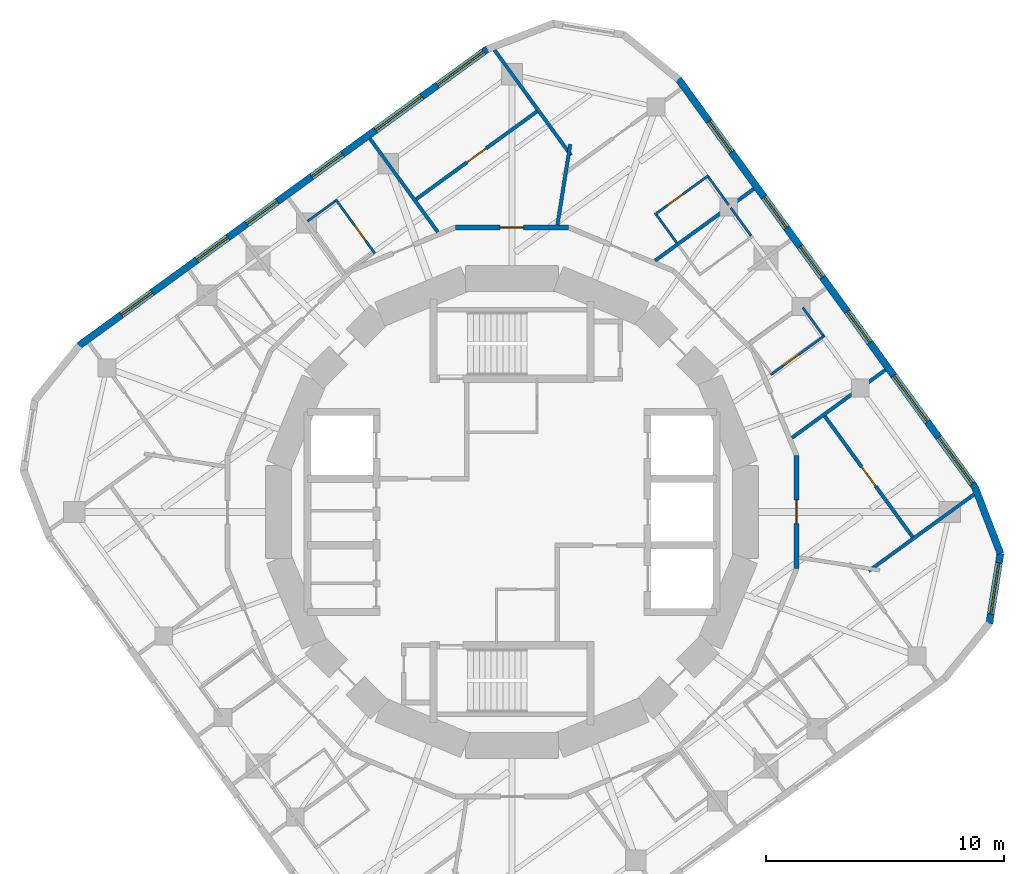
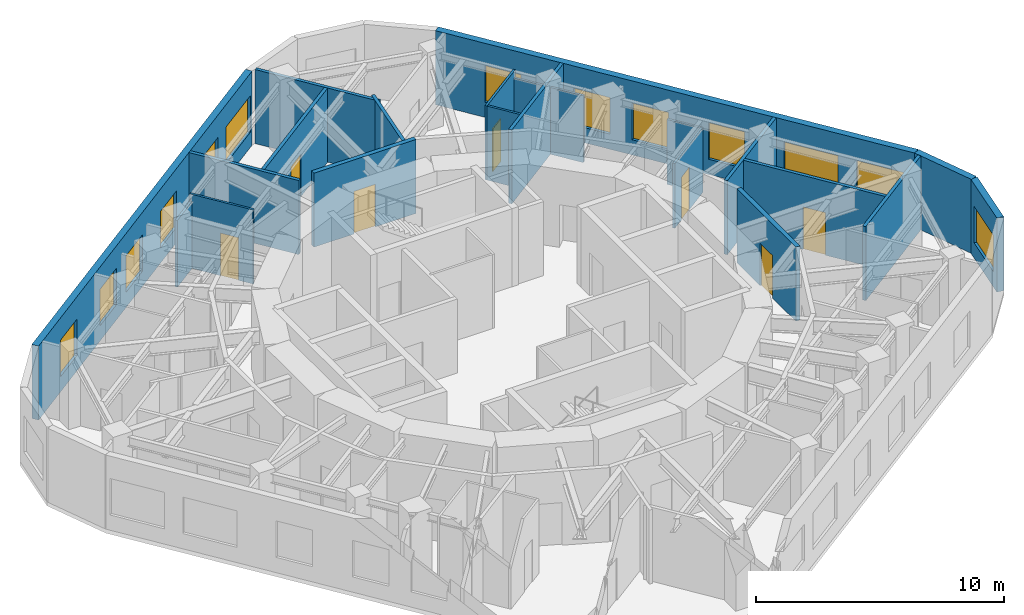
# One storey, part 7 of 9: 22 walls, 13 windows, 7 doors, 20 openings.
"""IFC4 building model written with IfcOpenShell, lengths in metres."""

import ifcopenshell
import ifcopenshell.guid

model = None  # the IFC model being written
_history = None  # IfcOwnerHistory: only IFC2X3 demands one
_inside = {}  # id of a spatial element -> (the spatial element, [elements in it])
_under = {}  # id of a project, library or spatial element -> (it, [spatial elements below it])
_declared = {}  # id of a project -> (the project, [libraries it declares])
_typed = {}  # id of a type object -> (the type object, [elements of that type])
_made_of = {}  # id of a material, layer set ... -> (it, [elements and type objects made of it])


def new_model(schema):
    """Start an empty IFC model of exactly this schema.

    Asked for "IFC4X3", IfcOpenShell would pick the latest addendum, in which some entities
    have other attributes; the version numbers below select the first issue.
    IFC2X3 requires an IfcOwnerHistory on every rooted entity: one is made here for all.
    """
    global model, _history
    if schema == "IFC4X3":
        model = ifcopenshell.file(schema_version=(4, 3, 0, 0))
    else:
        model = ifcopenshell.file(schema=schema)
    _inside.clear()
    _under.clear()
    _declared.clear()
    _typed.clear()
    _made_of.clear()
    _history = None
    if model.schema == "IFC2X3":
        org = make("IfcOrganization", Name="unknown")
        user = make(
            "IfcPersonAndOrganization",
            ThePerson=make("IfcPerson", FamilyName="unknown"),
            TheOrganization=org,
        )
        app = make(
            "IfcApplication",
            ApplicationDeveloper=org,
            Version="unknown",
            ApplicationFullName="unknown",
            ApplicationIdentifier="unknown",
        )
        _history = make(
            "IfcOwnerHistory",
            OwningUser=user,
            OwningApplication=app,
            ChangeAction="ADDED",
            CreationDate=0,
        )
    return model


def make(cls, **values):
    """One entity of the class cls with the attributes given. An attribute that is None is left unset."""
    return model.create_entity(
        cls, **{name: value for name, value in values.items() if value is not None}
    )


def rooted(cls, **values):
    """An entity with a GlobalId (a new one), such as an element, a storey or a relation."""
    return make(cls, GlobalId=ifcopenshell.guid.new(), OwnerHistory=_history, **values)


def si_unit(unit_type, name, prefix=None):
    """IfcSIUnit, for example si_unit("LENGTHUNIT", "METRE", prefix="MILLI")."""
    return make("IfcSIUnit", UnitType=unit_type, Prefix=prefix, Name=name)


def assignment(units):
    """IfcUnitAssignment: the units of a project."""
    return None if units is None else make("IfcUnitAssignment", Units=units)


def point(xyz):
    """IfcCartesianPoint."""
    return None if xyz is None else make("IfcCartesianPoint", Coordinates=xyz)


def direction(xyz):
    """IfcDirection."""
    return None if xyz is None else make("IfcDirection", DirectionRatios=xyz)


def frame(location, z_axis=None, x_axis=None):
    """IfcAxis2Placement3D, a coordinate frame: its origin and axes. An axis left out is left unset."""
    return make(
        "IfcAxis2Placement3D",
        Location=point(location),
        Axis=direction(z_axis),
        RefDirection=direction(x_axis),
    )


def frame_2d(location, x_axis=None):
    """IfcAxis2Placement2D, a coordinate frame in the plane: its origin and x axis."""
    return make(
        "IfcAxis2Placement2D", Location=point(location), RefDirection=direction(x_axis)
    )


def origin():
    """The frame at (0, 0, 0) with its axes left unset."""
    return frame((0.0, 0.0, 0.0))


def place(relative_to, where):
    """IfcLocalPlacement: puts the frame where relative to a parent placement (None: the world)."""
    return make(
        "IfcLocalPlacement", PlacementRelTo=relative_to, RelativePlacement=where
    )


def context(
    kind, dimensions, precision=None, world=None, true_north=None, identifier=None
):
    """IfcGeometricRepresentationContext, for example the 3D "Model" context."""
    return make(
        "IfcGeometricRepresentationContext",
        ContextIdentifier=identifier,
        ContextType=kind,
        CoordinateSpaceDimension=dimensions,
        Precision=precision,
        WorldCoordinateSystem=world,
        TrueNorth=true_north,
    )


def subcontext(parent, identifier, kind, view, scale=None):
    """IfcGeometricRepresentationSubContext, for example "Body" below "Model"."""
    return make(
        "IfcGeometricRepresentationSubContext",
        ContextIdentifier=identifier,
        ContextType=kind,
        ParentContext=parent,
        TargetScale=scale,
        TargetView=view,
    )


def project(units=None, contexts=None):
    """IfcProject with its units and contexts."""
    return rooted(
        "IfcProject",
        Name="project",
        RepresentationContexts=contexts,
        UnitsInContext=assignment(units),
    )


def spatial(cls, under=None, at=None, **own):
    """A site, building, storey or space (cls), placed at a placement, below another one or the project."""
    s = rooted(cls, ObjectPlacement=at, **own)
    if under is not None:
        _under.setdefault(under.id(), (under, []))[1].append(s)
    return s


def profile(cls, at=None, kind="AREA", **sizes):
    """A parametric profile (cls). Its sizes go by their IFC names, for example OverallWidth=200.0."""
    return make(cls, ProfileType=kind, Position=at, **sizes)


def rectangle(**sizes):
    """IfcRectangleProfileDef."""
    return profile("IfcRectangleProfileDef", **sizes)


def extrude(swept, where, along, depth):
    """IfcExtrudedAreaSolid: the profile swept, set in the frame where, extruded along a direction by depth."""
    return make(
        "IfcExtrudedAreaSolid",
        SweptArea=swept,
        Position=where,
        ExtrudedDirection=direction(along),
        Depth=depth,
    )


def shape(context_of_items, identifier, shape_type, items):
    """IfcShapeRepresentation: the items that make up one representation, for example the "Body"."""
    return make(
        "IfcShapeRepresentation",
        ContextOfItems=context_of_items,
        RepresentationIdentifier=identifier,
        RepresentationType=shape_type,
        Items=items,
    )


def material(Name=None, Category=None):
    """IfcMaterial."""
    return make("IfcMaterial", Name=Name, Category=Category)


def layer(
    of_material, thickness, ventilated=None, Name=None, Category=None, Priority=None
):
    """IfcMaterialLayer: one layer of a wall or slab, of a material (None: an air gap)."""
    return make(
        "IfcMaterialLayer",
        Material=of_material,
        LayerThickness=thickness,
        IsVentilated=ventilated,
        Name=Name,
        Category=Category,
        Priority=Priority,
    )


def layer_set(layers, Name=None):
    """IfcMaterialLayerSet."""
    return make("IfcMaterialLayerSet", MaterialLayers=layers, LayerSetName=Name)


def made_of(thing, what):
    """Note that an element or type object is made of a material, layer set ...; save() writes the relation."""
    if what is not None:
        _made_of.setdefault(what.id(), (what, []))[1].append(thing)
    return thing


def type_object(cls, material=None, **own):
    """A type object (cls), such as IfcWallType, which elements share."""
    return made_of(rooted(cls, **own), material)


def element(
    cls,
    number,
    at=None,
    inside=None,
    cuts=None,
    type_object=None,
    material=None,
    context=None,
    identifier="Body",
    shape_type=None,
    held_by="IfcProductDefinitionShape",
    body=None,
    shapes=None,
    **own,
):
    """One element of the class cls, such as IfcWall. Its Tag is "e" and its number.

    at: its placement. inside: the storey or other place that contains it. cuts: it is an
    opening in that element (IfcRelVoidsElement). A single representation is given by context,
    identifier, shape_type and body (its items); several are given by shapes. held_by: the class
    of the entity that holds the representations. save() writes the other relations.
    """
    e = rooted(cls, Tag="e%d" % number, ObjectPlacement=at, **own)
    if body is not None:
        shapes = [shape(context, identifier, shape_type, body)]
    if shapes is not None:
        e.Representation = make(held_by, Representations=shapes)
    if inside is not None:
        _inside.setdefault(inside.id(), (inside, []))[1].append(e)
    if cuts is not None:
        rooted(
            "IfcRelVoidsElement", RelatingBuildingElement=cuts, RelatedOpeningElement=e
        )
    if type_object is not None:
        _typed.setdefault(type_object.id(), (type_object, []))[1].append(e)
    return made_of(e, material)


def fill(opening, filler):
    """IfcRelFillsElement: the door or window that sits in an opening."""
    return rooted(
        "IfcRelFillsElement",
        RelatingOpeningElement=opening,
        RelatedBuildingElement=filler,
    )


def aggregate(whole, parts):
    """IfcRelAggregates: a whole, such as a stair, and the parts it consists of."""
    return rooted("IfcRelAggregates", RelatingObject=whole, RelatedObjects=parts)


def save(model, path):
    """Write the relations noted so far, then the file.

    IfcRelAggregates (storeys below a building ...), IfcRelContainedInSpatialStructure (elements
    in a storey), IfcRelDefinesByType, IfcRelAssociatesMaterial and IfcRelDeclares: one each for
    every whole, place, type object, material and project.
    """
    for whole, parts in _under.values():
        aggregate(whole, parts)
    for where, things in _inside.values():
        rooted(
            "IfcRelContainedInSpatialStructure",
            RelatedElements=things,
            RelatingStructure=where,
        )
    for kind, things in _typed.values():
        rooted("IfcRelDefinesByType", RelatedObjects=things, RelatingType=kind)
    for what, things in _made_of.values():
        rooted("IfcRelAssociatesMaterial", RelatedObjects=things, RelatingMaterial=what)
    for by, libraries in _declared.values():
        rooted("IfcRelDeclares", RelatingContext=by, RelatedDefinitions=libraries)
    model.write(path)


model = new_model("IFC4")

# Units and contexts
model_context = context("Model", 3, precision=1e-05, world=origin(), true_north=direction((0.0, 1.0)))
body_context = subcontext(model_context, "Body", "Model", "MODEL_VIEW")
ifc_project = project(units=[si_unit("LENGTHUNIT", "METRE"), si_unit("AREAUNIT", "SQUARE_METRE"), si_unit("VOLUMEUNIT", "CUBIC_METRE"), si_unit("PLANEANGLEUNIT", "RADIAN"), si_unit("MASSUNIT", "GRAM", prefix="KILO")], contexts=[model_context])

# Site, building, storey
site_placement = place(None, origin())
site = spatial("IfcSite", under=ifc_project, at=site_placement, CompositionType="ELEMENT")
building_placement = place(site_placement, origin())
building = spatial("IfcBuilding", under=site, at=building_placement, Name="Nakasero Lantern House", CompositionType="ELEMENT")
storey_placement = place(building_placement, frame((0.0, 0.0, 286.85009765625)))
storey = spatial("IfcBuildingStorey", under=building, at=storey_placement, Name="L70", CompositionType="ELEMENT", Elevation=286.85009765625)

# Wall, opening, door
ifc_material_1 = material(Name="Blockwork", Category="masonry")
ifc_layer_1 = layer(ifc_material_1, 0.199951171875)
ifc_layer_set_1 = layer_set([ifc_layer_1], Name="Corridor wall 200")
wall_type_1 = type_object("IfcWallType", Name="Corridor wall 200", PredefinedType="PARTITIONING", material=ifc_layer_set_1)
wall_1_placement = place(storey_placement, frame((11.957763671875, 2.378662109375, 0.0), z_axis=(0.0, 0.0, 1.0), x_axis=(0.0, -1.0, 0.0)))
wall_1 = element("IfcWall", 1, at=wall_1_placement, inside=storey, type_object=wall_type_1, Name="Corridor wall L70 RC00a", PredefinedType="PARTITIONING", context=body_context, shape_type="SweptSolid", body=[
    extrude(rectangle(XDim=4.75732421875, YDim=0.199951171875, at=frame_2d((2.378662109375, 0.0))), origin(), (0.0, 0.0, 1.0), 3.64990234375),
])
opening_1_placement = place(wall_1_placement, frame((1.8701171875, 0.0, 0.0)))
opening_1 = element("IfcOpeningElement", 2, at=opening_1_placement, cuts=wall_1, Name="Opening D03", PredefinedType="OPENING", context=body_context, shape_type="SweptSolid", body=[
    extrude(rectangle(XDim=1.0, YDim=2.10009765625, at=frame_2d((0.5, 1.050048828125))), frame((0.0, 0.119873046875, 0.0), z_axis=(0.0, -1.0, 0.0), x_axis=(1.0, 0.0, 0.0)), (0.0, 0.0, 1.0), 0.239990234375),
])
ifc_material_2 = material(Name="Timber C24", Category="wood")
door_type_1 = type_object("IfcDoorType", Name="Lounge door FD30S 1000", OperationType="SINGLE_SWING_LEFT", PredefinedType="DOOR", material=ifc_material_2)
door_1_placement = place(opening_1_placement, origin())
door_1 = element("IfcDoor", 3, at=door_1_placement, inside=storey, type_object=door_type_1, Name="Door L70 DK0", OperationType="SINGLE_SWING_LEFT", OverallHeight=2.10009765625, OverallWidth=1.0, PredefinedType="DOOR", context=body_context, shape_type="SweptSolid", body=[
    extrude(rectangle(XDim=1.0, YDim=2.10009765625, at=frame_2d((0.5, 1.050048828125))), frame((0.0, 0.02490234375, 0.0), z_axis=(0.0, -1.0, 0.0), x_axis=(1.0, 0.0, 0.0)), (0.0, 0.0, 1.0), 0.050048828125),
])
fill(opening_1, door_1)

wall_2_placement = place(storey_placement, frame((-2.378662109375, 11.957763671875, 0.0), z_axis=(0.0, 0.0, 1.0), x_axis=(1.0, 0.0, 0.0)))
wall_2 = element("IfcWall", 4, at=wall_2_placement, inside=storey, type_object=wall_type_1, Name="Corridor wall L70 RC12a", PredefinedType="PARTITIONING", context=body_context, shape_type="SweptSolid", body=[
    extrude(rectangle(XDim=4.75732421875, YDim=0.199951171875, at=frame_2d((2.378662109375, 0.0))), origin(), (0.0, 0.0, 1.0), 3.64990234375),
])
opening_2_placement = place(wall_2_placement, frame((1.8701171875, 0.0, 0.0)))
opening_2 = element("IfcOpeningElement", 5, at=opening_2_placement, cuts=wall_2, Name="Opening D03", PredefinedType="OPENING", context=body_context, shape_type="SweptSolid", body=[
    extrude(rectangle(XDim=1.0, YDim=2.10009765625, at=frame_2d((0.5, 1.050048828125))), frame((0.0, 0.119873046875, 0.0), z_axis=(0.0, -1.0, 0.0), x_axis=(1.0, 0.0, 0.0)), (0.0, 0.0, 1.0), 0.239990234375),
])
door_2_placement = place(opening_2_placement, origin())
door_2 = element("IfcDoor", 6, at=door_2_placement, inside=storey, type_object=door_type_1, Name="Door L70 DK1", OperationType="SINGLE_SWING_LEFT", OverallHeight=2.10009765625, OverallWidth=1.0, PredefinedType="DOOR", context=body_context, shape_type="SweptSolid", body=[
    extrude(rectangle(XDim=1.0, YDim=2.10009765625, at=frame_2d((0.5, 1.050048828125))), frame((0.0, 0.02490234375, 0.0), z_axis=(0.0, -1.0, 0.0), x_axis=(1.0, 0.0, 0.0)), (0.0, 0.0, 1.0), 0.050048828125),
])
fill(opening_2, door_2)

ifc_material_3 = material(Name="Blockwork", Category="masonry")
ifc_layer_2 = layer(ifc_material_3, 0.10009765625)
ifc_layer_set_2 = layer_set([ifc_layer_2], Name="En-suite wall 100")
wall_type_2 = type_object("IfcWallType", Name="En-suite wall 100", PredefinedType="PARTITIONING", material=ifc_layer_set_2)
wall_3_placement = place(storey_placement, frame((10.872314453125, 5.76513671875, 0.0), z_axis=(0.0, 0.0, 1.0), x_axis=(0.809041377956, 0.587751689708, 0.0)))
wall_3 = element("IfcWall", 7, at=wall_3_placement, inside=storey, type_object=wall_type_2, Name="En-suite wall L70 ES0-03", PredefinedType="PARTITIONING", context=body_context, shape_type="SweptSolid", body=[
    extrude(rectangle(XDim=2.800048828125, YDim=0.10009765625, at=frame_2d((1.39990234375, 0.0))), origin(), (0.0, 0.0, 1.0), 3.18994140625),
])
opening_3_placement = place(wall_3_placement, frame((0.64990234375, 0.0, 0.0)))
opening_3 = element("IfcOpeningElement", 8, at=opening_3_placement, cuts=wall_3, Name="Opening D02", PredefinedType="OPENING", context=body_context, shape_type="SweptSolid", body=[
    extrude(rectangle(XDim=0.800048828125, YDim=2.10009765625, at=frame_2d((0.39990234375, 1.050048828125))), frame((0.0, 0.070068359375, 0.0), z_axis=(0.0, -1.0, 0.0), x_axis=(1.0, 0.0, 0.0)), (0.0, 0.0, 1.0), 0.14013671875),
])
ifc_material_4 = material(Name="Timber C24", Category="wood")
door_type_2 = type_object("IfcDoorType", Name="En-suite door 800", OperationType="SINGLE_SWING_RIGHT", PredefinedType="DOOR", material=ifc_material_4)
door_3_placement = place(opening_3_placement, origin())
door_3 = element("IfcDoor", 9, at=door_3_placement, inside=storey, type_object=door_type_2, Name="Door L70 DE0-03", OperationType="SINGLE_SWING_LEFT", OverallHeight=2.10009765625, OverallWidth=0.800048828125, PredefinedType="DOOR", context=body_context, shape_type="SweptSolid", body=[
    extrude(rectangle(XDim=0.800048828125, YDim=2.10009765625, at=frame_2d((0.39990234375, 1.050048828125))), frame((0.0, 0.02490234375, 0.0), z_axis=(0.0, -1.0, 0.0), x_axis=(1.0, 0.0, 0.0)), (0.0, 0.0, 1.0), 0.050048828125),
])
fill(opening_3, door_3)

# Walls
wall_4_placement = place(storey_placement, frame((13.06787109375, 7.421875, 0.0), z_axis=(0.0, 0.0, 1.0), x_axis=(-0.587781191743, 0.809019944521, 0.0)))
element("IfcWall", 10, at=wall_4_placement, inside=storey, type_object=wall_type_2, Name="En-suite wall L70 EE0-03", PredefinedType="PARTITIONING", context=body_context, shape_type="SweptSolid", body=[
    extrude(rectangle(XDim=1.449951171875, YDim=0.10009765625, at=frame_2d((0.72509765625, 0.0))), origin(), (0.0, 0.0, 1.0), 3.196533203125),
])
wall_5_placement = place(storey_placement, frame((10.046630859375, 11.6064453125, 0.0), z_axis=(0.0, 0.0, 1.0), x_axis=(-0.587781191743, 0.809019944521, 0.0)))
element("IfcWall", 11, at=wall_5_placement, inside=storey, type_object=wall_type_2, Name="En-suite wall L70 EE0-04", PredefinedType="PARTITIONING", context=body_context, shape_type="SweptSolid", body=[
    extrude(rectangle(XDim=1.449951171875, YDim=0.10009765625, at=frame_2d((0.72509765625, 0.0))), origin(), (0.0, 0.0, 1.0), 3.294921875),
])

# Wall, opening, door
wall_6_placement = place(storey_placement, frame((5.999755859375, 12.498046875, 0.0), z_axis=(0.0, 0.0, 1.0), x_axis=(0.809011254605, 0.587793152327, 0.0)))
wall_6 = element("IfcWall", 12, at=wall_6_placement, inside=storey, type_object=wall_type_2, Name="En-suite wall L70 ES0-06", PredefinedType="PARTITIONING", context=body_context, shape_type="SweptSolid", body=[
    extrude(rectangle(XDim=2.7998046875, YDim=0.10009765625, at=frame_2d((1.39990234375, 0.0))), origin(), (0.0, 0.0, 1.0), 3.64990234375),
])
opening_4_placement = place(wall_6_placement, frame((0.64990234375, 0.0, 0.0)))
opening_4 = element("IfcOpeningElement", 13, at=opening_4_placement, cuts=wall_6, Name="Opening D02", PredefinedType="OPENING", context=body_context, shape_type="SweptSolid", body=[
    extrude(rectangle(XDim=0.800048828125, YDim=2.10009765625, at=frame_2d((0.39990234375, 1.050048828125))), frame((0.0, 0.070068359375, 0.0), z_axis=(0.0, -1.0, 0.0), x_axis=(1.0, 0.0, 0.0)), (0.0, 0.0, 1.0), 0.14013671875),
])
door_4_placement = place(opening_4_placement, origin())
door_4 = element("IfcDoor", 14, at=door_4_placement, inside=storey, type_object=door_type_2, Name="Door L70 DE0-06", OperationType="SINGLE_SWING_LEFT", OverallHeight=2.10009765625, OverallWidth=0.800048828125, PredefinedType="DOOR", context=body_context, shape_type="SweptSolid", body=[
    extrude(rectangle(XDim=0.800048828125, YDim=2.10009765625, at=frame_2d((0.39990234375, 1.050048828125))), frame((0.0, 0.02490234375, 0.0), z_axis=(0.0, -1.0, 0.0), x_axis=(1.0, 0.0, 0.0)), (0.0, 0.0, 1.0), 0.050048828125),
])
fill(opening_4, door_4)

# Walls
wall_7_placement = place(storey_placement, frame((9.106201171875, 12.90087890625, 0.0), z_axis=(0.0, 0.0, 1.0), x_axis=(-0.587781191743, 0.809019944521, 0.0)))
element("IfcWall", 15, at=wall_7_placement, inside=storey, type_object=wall_type_2, Name="En-suite wall L70 EE0-06", PredefinedType="PARTITIONING", context=body_context, shape_type="SweptSolid", body=[
    extrude(rectangle(XDim=1.449951171875, YDim=0.10009765625, at=frame_2d((0.72509765625, 0.0))), origin(), (0.0, 0.0, 1.0), 3.294921875),
])
wall_8_placement = place(storey_placement, frame((6.921875, 11.313720703125, 0.0), z_axis=(0.0, 0.0, 1.0), x_axis=(-0.587781191743, 0.809019944521, 0.0)))
element("IfcWall", 16, at=wall_8_placement, inside=storey, type_object=wall_type_2, Name="En-suite wall L70 EI0-06", PredefinedType="PARTITIONING", context=body_context, shape_type="SweptSolid", body=[
    extrude(rectangle(XDim=1.449951171875, YDim=0.10009765625, at=frame_2d((0.72509765625, 0.0))), origin(), (0.0, 0.0, 1.0), 3.64990234375),
])

# Wall, opening, door
wall_9_placement = place(storey_placement, frame((-5.76513671875, 10.872314453125, 0.0), z_axis=(0.0, 0.0, 1.0), x_axis=(-0.587751689708, 0.809041377956, 0.0)))
wall_9 = element("IfcWall", 17, at=wall_9_placement, inside=storey, type_object=wall_type_2, Name="En-suite wall L70 ES1-03", PredefinedType="PARTITIONING", context=body_context, shape_type="SweptSolid", body=[
    extrude(rectangle(XDim=2.800048828125, YDim=0.10009765625, at=frame_2d((1.39990234375, 0.0))), origin(), (0.0, 0.0, 1.0), 3.64990234375),
])
opening_5_placement = place(wall_9_placement, frame((0.64990234375, 0.0, 0.0)))
opening_5 = element("IfcOpeningElement", 18, at=opening_5_placement, cuts=wall_9, Name="Opening D02", PredefinedType="OPENING", context=body_context, shape_type="SweptSolid", body=[
    extrude(rectangle(XDim=0.800048828125, YDim=2.10009765625, at=frame_2d((0.39990234375, 1.050048828125))), frame((0.0, 0.070068359375, 0.0), z_axis=(0.0, -1.0, 0.0), x_axis=(1.0, 0.0, 0.0)), (0.0, 0.0, 1.0), 0.14013671875),
])
door_5_placement = place(opening_5_placement, origin())
door_5 = element("IfcDoor", 19, at=door_5_placement, inside=storey, type_object=door_type_2, Name="Door L70 DE1-03", OperationType="SINGLE_SWING_LEFT", OverallHeight=2.10009765625, OverallWidth=0.800048828125, PredefinedType="DOOR", context=body_context, shape_type="SweptSolid", body=[
    extrude(rectangle(XDim=0.800048828125, YDim=2.10009765625, at=frame_2d((0.39990234375, 1.050048828125))), frame((0.0, 0.02490234375, 0.0), z_axis=(0.0, -1.0, 0.0), x_axis=(1.0, 0.0, 0.0)), (0.0, 0.0, 1.0), 0.050048828125),
])
fill(opening_5, door_5)

# Wall
wall_10_placement = place(storey_placement, frame((-7.421875, 13.06787109375, 0.0), z_axis=(0.0, 0.0, 1.0), x_axis=(-0.809019944521, -0.587781191743, 0.0)))
element("IfcWall", 20, at=wall_10_placement, inside=storey, type_object=wall_type_2, Name="En-suite wall L70 EE1-03", PredefinedType="PARTITIONING", context=body_context, shape_type="SweptSolid", body=[
    extrude(rectangle(XDim=1.449951171875, YDim=0.10009765625, at=frame_2d((0.72509765625, 0.0))), origin(), (0.0, 0.0, 1.0), 3.294921875),
])

# Wall, openings, windows
ifc_material_5 = material(Name="Aluminium rainscreen on blockwork", Category="masonry")
ifc_layer_3 = layer(ifc_material_5, 0.300048828125)
ifc_layer_set_3 = layer_set([ifc_layer_3], Name="Facade wall 300")
wall_type_3 = type_object("IfcWallType", Name="Facade wall 300", PredefinedType="SOLIDWALL", material=ifc_layer_set_3)
wall_11_placement = place(storey_placement, frame((19.4580078125, 1.03466796875, 0.0), z_axis=(0.0, 0.0, 1.0), x_axis=(-0.587790233451, 0.809013375328, 0.0)))
wall_11 = element("IfcWall", 21, at=wall_11_placement, inside=storey, type_object=wall_type_3, Name="Facade wall L70 FW0S", PredefinedType="SOLIDWALL", context=body_context, shape_type="SweptSolid", body=[
    extrude(rectangle(XDim=21.199951171875, YDim=0.300048828125, at=frame_2d((10.60009765625, 0.0))), origin(), (0.0, 0.0, 1.0), 3.64990234375),
])
opening_6_placement = place(wall_11_placement, frame((7.52783203125, 0.0, 0.75)))
opening_6 = element("IfcOpeningElement", 22, at=opening_6_placement, cuts=wall_11, Name="Opening W01", PredefinedType="OPENING", context=body_context, shape_type="SweptSolid", body=[
    extrude(rectangle(XDim=1.60009765625, YDim=1.800048828125, at=frame_2d((0.800048828125, 0.89990234375))), frame((0.0, 0.169921875, 0.0), z_axis=(0.0, -1.0, 0.0), x_axis=(1.0, 0.0, 0.0)), (0.0, 0.0, 1.0), 0.340087890625),
])
opening_7_placement = place(wall_11_placement, frame((10.904052734375, 0.0, 0.75)))
opening_7 = element("IfcOpeningElement", 23, at=opening_7_placement, cuts=wall_11, Name="Opening W01", PredefinedType="OPENING", context=body_context, shape_type="SweptSolid", body=[
    extrude(rectangle(XDim=1.60009765625, YDim=1.800048828125, at=frame_2d((0.800048828125, 0.89990234375))), frame((0.0, 0.169921875, 0.0), z_axis=(0.0, -1.0, 0.0), x_axis=(1.0, 0.0, 0.0)), (0.0, 0.0, 1.0), 0.340087890625),
])
opening_8_placement = place(wall_11_placement, frame((13.484619140625, 0.0, 0.75)))
opening_8 = element("IfcOpeningElement", 24, at=opening_8_placement, cuts=wall_11, Name="Opening W01", PredefinedType="OPENING", context=body_context, shape_type="SweptSolid", body=[
    extrude(rectangle(XDim=1.60009765625, YDim=1.800048828125, at=frame_2d((0.800048828125, 0.89990234375))), frame((0.0, 0.169921875, 0.0), z_axis=(0.0, -1.0, 0.0), x_axis=(1.0, 0.0, 0.0)), (0.0, 0.0, 1.0), 0.340087890625),
])
opening_9_placement = place(wall_11_placement, frame((17.410888671875, 0.0, 0.75)))
opening_9 = element("IfcOpeningElement", 25, at=opening_9_placement, cuts=wall_11, Name="Opening W01", PredefinedType="OPENING", context=body_context, shape_type="SweptSolid", body=[
    extrude(rectangle(XDim=1.60009765625, YDim=1.800048828125, at=frame_2d((0.800048828125, 0.89990234375))), frame((0.0, 0.169921875, 0.0), z_axis=(0.0, -1.0, 0.0), x_axis=(1.0, 0.0, 0.0)), (0.0, 0.0, 1.0), 0.340087890625),
])
opening_10_placement = place(wall_11_placement, frame((0.1904296875, 0.0, 0.75)))
opening_10 = element("IfcOpeningElement", 26, at=opening_10_placement, cuts=wall_11, Name="Opening W03", PredefinedType="OPENING", context=body_context, shape_type="SweptSolid", body=[
    extrude(rectangle(XDim=2.39990234375, YDim=1.800048828125, at=frame_2d((1.199951171875, 0.89990234375))), frame((0.0, 0.169921875, 0.0), z_axis=(0.0, -1.0, 0.0), x_axis=(1.0, 0.0, 0.0)), (0.0, 0.0, 1.0), 0.340087890625),
])
opening_11_placement = place(wall_11_placement, frame((3.401611328125, 0.0, 0.75)))
opening_11 = element("IfcOpeningElement", 27, at=opening_11_placement, cuts=wall_11, Name="Opening W03", PredefinedType="OPENING", context=body_context, shape_type="SweptSolid", body=[
    extrude(rectangle(XDim=2.39990234375, YDim=1.800048828125, at=frame_2d((1.199951171875, 0.89990234375))), frame((0.0, 0.169921875, 0.0), z_axis=(0.0, -1.0, 0.0), x_axis=(1.0, 0.0, 0.0)), (0.0, 0.0, 1.0), 0.340087890625),
])
ifc_material_6 = material(Name="Aluminium 6063-T6 and glass", Category="aluminium")
window_type_1 = type_object("IfcWindowType", Name="Bedroom window 1600x1800", PartitioningType="SINGLE_PANEL", PredefinedType="WINDOW", material=ifc_material_6)
window_1_placement = place(opening_6_placement, origin())
window_1 = element("IfcWindow", 28, at=window_1_placement, inside=storey, type_object=window_type_1, Name="Window L70 WN0-03", OverallHeight=1.800048828125, OverallWidth=1.60009765625, PartitioningType="SINGLE_PANEL", PredefinedType="WINDOW", context=body_context, shape_type="SweptSolid", body=[
    extrude(rectangle(XDim=1.60009765625, YDim=1.800048828125, at=frame_2d((0.800048828125, 0.89990234375))), frame((0.0, 0.030029296875, 0.0), z_axis=(0.0, -1.0, 0.0), x_axis=(1.0, 0.0, 0.0)), (0.0, 0.0, 1.0), 0.06005859375),
])
fill(opening_6, window_1)
window_2_placement = place(opening_7_placement, origin())
window_2 = element("IfcWindow", 29, at=window_2_placement, inside=storey, type_object=window_type_1, Name="Window L70 WN0-04", OverallHeight=1.800048828125, OverallWidth=1.60009765625, PartitioningType="SINGLE_PANEL", PredefinedType="WINDOW", context=body_context, shape_type="SweptSolid", body=[
    extrude(rectangle(XDim=1.60009765625, YDim=1.800048828125, at=frame_2d((0.800048828125, 0.89990234375))), frame((0.0, 0.030029296875, 0.0), z_axis=(0.0, -1.0, 0.0), x_axis=(1.0, 0.0, 0.0)), (0.0, 0.0, 1.0), 0.06005859375),
])
fill(opening_7, window_2)
window_3_placement = place(opening_8_placement, origin())
window_3 = element("IfcWindow", 30, at=window_3_placement, inside=storey, type_object=window_type_1, Name="Window L70 WN0-05", OverallHeight=1.800048828125, OverallWidth=1.60009765625, PartitioningType="SINGLE_PANEL", PredefinedType="WINDOW", context=body_context, shape_type="SweptSolid", body=[
    extrude(rectangle(XDim=1.60009765625, YDim=1.800048828125, at=frame_2d((0.800048828125, 0.89990234375))), frame((0.0, 0.030029296875, 0.0), z_axis=(0.0, -1.0, 0.0), x_axis=(1.0, 0.0, 0.0)), (0.0, 0.0, 1.0), 0.06005859375),
])
fill(opening_8, window_3)
window_4_placement = place(opening_9_placement, origin())
window_4 = element("IfcWindow", 31, at=window_4_placement, inside=storey, type_object=window_type_1, Name="Window L70 WN0-06", OverallHeight=1.800048828125, OverallWidth=1.60009765625, PartitioningType="SINGLE_PANEL", PredefinedType="WINDOW", context=body_context, shape_type="SweptSolid", body=[
    extrude(rectangle(XDim=1.60009765625, YDim=1.800048828125, at=frame_2d((0.800048828125, 0.89990234375))), frame((0.0, 0.030029296875, 0.0), z_axis=(0.0, -1.0, 0.0), x_axis=(1.0, 0.0, 0.0)), (0.0, 0.0, 1.0), 0.06005859375),
])
fill(opening_9, window_4)
ifc_material_7 = material(Name="Aluminium 6063-T6 and glass", Category="aluminium")
window_type_2 = type_object("IfcWindowType", Name="Lounge window 2400x1800", PartitioningType="SINGLE_PANEL", PredefinedType="WINDOW", material=ifc_material_7)
window_5_placement = place(opening_10_placement, origin())
window_5 = element("IfcWindow", 32, at=window_5_placement, inside=storey, type_object=window_type_2, Name="Window L70 WK0", OverallHeight=1.800048828125, OverallWidth=2.39990234375, PartitioningType="SINGLE_PANEL", PredefinedType="WINDOW", context=body_context, shape_type="SweptSolid", body=[
    extrude(rectangle(XDim=2.39990234375, YDim=1.800048828125, at=frame_2d((1.199951171875, 0.89990234375))), frame((0.0, 0.030029296875, 0.0), z_axis=(0.0, -1.0, 0.0), x_axis=(1.0, 0.0, 0.0)), (0.0, 0.0, 1.0), 0.06005859375),
])
fill(opening_10, window_5)
window_6_placement = place(opening_11_placement, origin())
window_6 = element("IfcWindow", 33, at=window_6_placement, inside=storey, type_object=window_type_2, Name="Window L70 WL0", OverallHeight=1.800048828125, OverallWidth=2.39990234375, PartitioningType="SINGLE_PANEL", PredefinedType="WINDOW", context=body_context, shape_type="SweptSolid", body=[
    extrude(rectangle(XDim=2.39990234375, YDim=1.800048828125, at=frame_2d((1.199951171875, 0.89990234375))), frame((0.0, 0.030029296875, 0.0), z_axis=(0.0, -1.0, 0.0), x_axis=(1.0, 0.0, 0.0)), (0.0, 0.0, 1.0), 0.06005859375),
])
fill(opening_11, window_6)

wall_12_placement = place(storey_placement, frame((-1.03466796875, 19.4580078125, 0.0), z_axis=(0.0, 0.0, 1.0), x_axis=(-0.809013375328, -0.587790233451, 0.0)))
wall_12 = element("IfcWall", 34, at=wall_12_placement, inside=storey, type_object=wall_type_3, Name="Facade wall L70 FW1S", PredefinedType="SOLIDWALL", context=body_context, shape_type="SweptSolid", body=[
    extrude(rectangle(XDim=21.199951171875, YDim=0.300048828125, at=frame_2d((10.60009765625, 0.0))), origin(), (0.0, 0.0, 1.0), 3.64990234375),
])
opening_12_placement = place(wall_12_placement, frame((7.52783203125, 0.0, 0.75)))
opening_12 = element("IfcOpeningElement", 35, at=opening_12_placement, cuts=wall_12, Name="Opening W01", PredefinedType="OPENING", context=body_context, shape_type="SweptSolid", body=[
    extrude(rectangle(XDim=1.60009765625, YDim=1.800048828125, at=frame_2d((0.800048828125, 0.89990234375))), frame((0.0, 0.169921875, 0.0), z_axis=(0.0, -1.0, 0.0), x_axis=(1.0, 0.0, 0.0)), (0.0, 0.0, 1.0), 0.340087890625),
])
opening_13_placement = place(wall_12_placement, frame((10.904052734375, 0.0, 0.75)))
opening_13 = element("IfcOpeningElement", 36, at=opening_13_placement, cuts=wall_12, Name="Opening W01", PredefinedType="OPENING", context=body_context, shape_type="SweptSolid", body=[
    extrude(rectangle(XDim=1.60009765625, YDim=1.800048828125, at=frame_2d((0.800048828125, 0.89990234375))), frame((0.0, 0.169921875, 0.0), z_axis=(0.0, -1.0, 0.0), x_axis=(1.0, 0.0, 0.0)), (0.0, 0.0, 1.0), 0.340087890625),
])
opening_14_placement = place(wall_12_placement, frame((13.484619140625, 0.0, 0.75)))
opening_14 = element("IfcOpeningElement", 37, at=opening_14_placement, cuts=wall_12, Name="Opening W01", PredefinedType="OPENING", context=body_context, shape_type="SweptSolid", body=[
    extrude(rectangle(XDim=1.60009765625, YDim=1.800048828125, at=frame_2d((0.800048828125, 0.89990234375))), frame((0.0, 0.169921875, 0.0), z_axis=(0.0, -1.0, 0.0), x_axis=(1.0, 0.0, 0.0)), (0.0, 0.0, 1.0), 0.340087890625),
])
opening_15_placement = place(wall_12_placement, frame((17.410888671875, 0.0, 0.75)))
opening_15 = element("IfcOpeningElement", 38, at=opening_15_placement, cuts=wall_12, Name="Opening W01", PredefinedType="OPENING", context=body_context, shape_type="SweptSolid", body=[
    extrude(rectangle(XDim=1.60009765625, YDim=1.800048828125, at=frame_2d((0.800048828125, 0.89990234375))), frame((0.0, 0.169921875, 0.0), z_axis=(0.0, -1.0, 0.0), x_axis=(1.0, 0.0, 0.0)), (0.0, 0.0, 1.0), 0.340087890625),
])
opening_16_placement = place(wall_12_placement, frame((0.1904296875, 0.0, 0.75)))
opening_16 = element("IfcOpeningElement", 39, at=opening_16_placement, cuts=wall_12, Name="Opening W03", PredefinedType="OPENING", context=body_context, shape_type="SweptSolid", body=[
    extrude(rectangle(XDim=2.39990234375, YDim=1.800048828125, at=frame_2d((1.199951171875, 0.89990234375))), frame((0.0, 0.169921875, 0.0), z_axis=(0.0, -1.0, 0.0), x_axis=(1.0, 0.0, 0.0)), (0.0, 0.0, 1.0), 0.340087890625),
])
opening_17_placement = place(wall_12_placement, frame((3.401611328125, 0.0, 0.75)))
opening_17 = element("IfcOpeningElement", 40, at=opening_17_placement, cuts=wall_12, Name="Opening W03", PredefinedType="OPENING", context=body_context, shape_type="SweptSolid", body=[
    extrude(rectangle(XDim=2.39990234375, YDim=1.800048828125, at=frame_2d((1.199951171875, 0.89990234375))), frame((0.0, 0.169921875, 0.0), z_axis=(0.0, -1.0, 0.0), x_axis=(1.0, 0.0, 0.0)), (0.0, 0.0, 1.0), 0.340087890625),
])
window_7_placement = place(opening_12_placement, origin())
window_7 = element("IfcWindow", 41, at=window_7_placement, inside=storey, type_object=window_type_1, Name="Window L70 WN1-03", OverallHeight=1.800048828125, OverallWidth=1.60009765625, PartitioningType="SINGLE_PANEL", PredefinedType="WINDOW", context=body_context, shape_type="SweptSolid", body=[
    extrude(rectangle(XDim=1.60009765625, YDim=1.800048828125, at=frame_2d((0.800048828125, 0.89990234375))), frame((0.0, 0.030029296875, 0.0), z_axis=(0.0, -1.0, 0.0), x_axis=(1.0, 0.0, 0.0)), (0.0, 0.0, 1.0), 0.06005859375),
])
fill(opening_12, window_7)
window_8_placement = place(opening_13_placement, origin())
window_8 = element("IfcWindow", 42, at=window_8_placement, inside=storey, type_object=window_type_1, Name="Window L70 WN1-04", OverallHeight=1.800048828125, OverallWidth=1.60009765625, PartitioningType="SINGLE_PANEL", PredefinedType="WINDOW", context=body_context, shape_type="SweptSolid", body=[
    extrude(rectangle(XDim=1.60009765625, YDim=1.800048828125, at=frame_2d((0.800048828125, 0.89990234375))), frame((0.0, 0.030029296875, 0.0), z_axis=(0.0, -1.0, 0.0), x_axis=(1.0, 0.0, 0.0)), (0.0, 0.0, 1.0), 0.06005859375),
])
fill(opening_13, window_8)
window_9_placement = place(opening_14_placement, origin())
window_9 = element("IfcWindow", 43, at=window_9_placement, inside=storey, type_object=window_type_1, Name="Window L70 WN1-05", OverallHeight=1.800048828125, OverallWidth=1.60009765625, PartitioningType="SINGLE_PANEL", PredefinedType="WINDOW", context=body_context, shape_type="SweptSolid", body=[
    extrude(rectangle(XDim=1.60009765625, YDim=1.800048828125, at=frame_2d((0.800048828125, 0.89990234375))), frame((0.0, 0.030029296875, 0.0), z_axis=(0.0, -1.0, 0.0), x_axis=(1.0, 0.0, 0.0)), (0.0, 0.0, 1.0), 0.06005859375),
])
fill(opening_14, window_9)
window_10_placement = place(opening_15_placement, origin())
window_10 = element("IfcWindow", 44, at=window_10_placement, inside=storey, type_object=window_type_1, Name="Window L70 WN1-06", OverallHeight=1.800048828125, OverallWidth=1.60009765625, PartitioningType="SINGLE_PANEL", PredefinedType="WINDOW", context=body_context, shape_type="SweptSolid", body=[
    extrude(rectangle(XDim=1.60009765625, YDim=1.800048828125, at=frame_2d((0.800048828125, 0.89990234375))), frame((0.0, 0.030029296875, 0.0), z_axis=(0.0, -1.0, 0.0), x_axis=(1.0, 0.0, 0.0)), (0.0, 0.0, 1.0), 0.06005859375),
])
fill(opening_15, window_10)
window_11_placement = place(opening_16_placement, origin())
window_11 = element("IfcWindow", 45, at=window_11_placement, inside=storey, type_object=window_type_2, Name="Window L70 WK1", OverallHeight=1.800048828125, OverallWidth=2.39990234375, PartitioningType="SINGLE_PANEL", PredefinedType="WINDOW", context=body_context, shape_type="SweptSolid", body=[
    extrude(rectangle(XDim=2.39990234375, YDim=1.800048828125, at=frame_2d((1.199951171875, 0.89990234375))), frame((0.0, 0.030029296875, 0.0), z_axis=(0.0, -1.0, 0.0), x_axis=(1.0, 0.0, 0.0)), (0.0, 0.0, 1.0), 0.06005859375),
])
fill(opening_16, window_11)
window_12_placement = place(opening_17_placement, origin())
window_12 = element("IfcWindow", 46, at=window_12_placement, inside=storey, type_object=window_type_2, Name="Window L70 WL1", OverallHeight=1.800048828125, OverallWidth=2.39990234375, PartitioningType="SINGLE_PANEL", PredefinedType="WINDOW", context=body_context, shape_type="SweptSolid", body=[
    extrude(rectangle(XDim=2.39990234375, YDim=1.800048828125, at=frame_2d((1.199951171875, 0.89990234375))), frame((0.0, 0.030029296875, 0.0), z_axis=(0.0, -1.0, 0.0), x_axis=(1.0, 0.0, 0.0)), (0.0, 0.0, 1.0), 0.06005859375),
])
fill(opening_17, window_12)

# Wall, opening, window
wall_13_placement = place(storey_placement, frame((20.05908203125, -4.683837890625, 0.0), z_axis=(0.0, 0.0, 1.0), x_axis=(0.156413227021, 0.987691704133, 0.0)))
wall_13 = element("IfcWall", 47, at=wall_13_placement, inside=storey, type_object=wall_type_3, Name="Facade wall L70 FW3C2", PredefinedType="SOLIDWALL", context=body_context, shape_type="SweptSolid", body=[
    extrude(rectangle(XDim=2.9765625, YDim=0.300048828125, at=frame_2d((1.48828125, 0.0))), origin(), (0.0, 0.0, 1.0), 3.64990234375),
])
opening_18_placement = place(wall_13_placement, frame((0.39990234375, 0.0, 0.75)))
opening_18 = element("IfcOpeningElement", 48, at=opening_18_placement, cuts=wall_13, Name="Opening W221", PredefinedType="OPENING", context=body_context, shape_type="SweptSolid", body=[
    extrude(rectangle(XDim=2.176025390625, YDim=1.800048828125, at=frame_2d((1.087890625, 0.89990234375))), frame((0.0, 0.169921875, 0.0), z_axis=(0.0, -1.0, 0.0), x_axis=(1.0, 0.0, 0.0)), (0.0, 0.0, 1.0), 0.340087890625),
])
ifc_material_8 = material(Name="Aluminium 6063-T6 and glass", Category="aluminium")
window_type_3 = type_object("IfcWindowType", Name="Corner window 2176x1800", PartitioningType="SINGLE_PANEL", PredefinedType="WINDOW", material=ifc_material_8)
window_13_placement = place(opening_18_placement, origin())
window_13 = element("IfcWindow", 49, at=window_13_placement, inside=storey, type_object=window_type_3, Name="Window L70 WC3", OverallHeight=1.800048828125, OverallWidth=2.176025390625, PartitioningType="SINGLE_PANEL", PredefinedType="WINDOW", context=body_context, shape_type="SweptSolid", body=[
    extrude(rectangle(XDim=2.176025390625, YDim=1.800048828125, at=frame_2d((1.087890625, 0.89990234375))), frame((0.0, 0.030029296875, 0.0), z_axis=(0.0, -1.0, 0.0), x_axis=(1.0, 0.0, 0.0)), (0.0, 0.0, 1.0), 0.06005859375),
])
fill(opening_18, window_13)

# Walls
wall_14_placement = place(storey_placement, frame((20.524658203125, -1.743896484375, 0.0), z_axis=(0.0, 0.0, 1.0), x_axis=(-0.35838535244, 0.933573745966, 0.0)))
element("IfcWall", 50, at=wall_14_placement, inside=storey, type_object=wall_type_3, Name="Facade wall L70 FW3C3", PredefinedType="SOLIDWALL", context=body_context, shape_type="SweptSolid", body=[
    extrude(rectangle(XDim=2.976318359375, YDim=0.300048828125, at=frame_2d((1.48828125, 0.0))), origin(), (0.0, 0.0, 1.0), 3.64990234375),
])
ifc_material_9 = material(Name="Blockwork", Category="masonry")
ifc_layer_4 = layer(ifc_material_9, 0.14990234375)
ifc_layer_set_4 = layer_set([ifc_layer_4], Name="Party wall 150")
wall_type_4 = type_object("IfcWallType", Name="Party wall 150", PredefinedType="PARTITIONING", material=ifc_layer_set_4)
wall_15_placement = place(storey_placement, frame((14.9853515625, -2.48095703125, 0.0), z_axis=(0.0, 0.0, 1.0), x_axis=(0.809023745549, 0.587775959987, 0.0)))
element("IfcWall", 51, at=wall_15_placement, inside=storey, type_object=wall_type_4, Name="Party wall L70 PW0-01", PredefinedType="PARTITIONING", context=body_context, shape_type="SweptSolid", body=[
    extrude(rectangle(XDim=5.466552734375, YDim=0.14990234375, at=frame_2d((2.7333984375, 0.0))), origin(), (0.0, 0.0, 1.0), 3.64990234375),
])
wall_16_placement = place(storey_placement, frame((11.760986328125, 3.114990234375, 0.0), z_axis=(0.0, 0.0, 1.0), x_axis=(0.809020895183, 0.587779883253, 0.0)))
element("IfcWall", 52, at=wall_16_placement, inside=storey, type_object=wall_type_4, Name="Party wall L70 PW0-03", PredefinedType="PARTITIONING", context=body_context, shape_type="SweptSolid", body=[
    extrude(rectangle(XDim=4.854248046875, YDim=0.14990234375, at=frame_2d((2.42724609375, 0.0))), origin(), (0.0, 0.0, 1.0), 3.64990234375),
])
wall_17_placement = place(storey_placement, frame((6.012939453125, 10.560791015625, 0.0), z_axis=(0.0, 0.0, 1.0), x_axis=(0.809020100005, 0.587780977736, 0.0)))
element("IfcWall", 53, at=wall_17_placement, inside=storey, type_object=wall_type_4, Name="Party wall L70 PW0-06", PredefinedType="PARTITIONING", context=body_context, shape_type="SweptSolid", body=[
    extrude(rectangle(XDim=5.1279296875, YDim=0.14990234375, at=frame_2d((2.56396484375, 0.0))), origin(), (0.0, 0.0, 1.0), 3.64990234375),
])
wall_18_placement = place(storey_placement, frame((1.90966796875, 12.057861328125, 0.0), z_axis=(0.0, 0.0, 1.0), x_axis=(0.156465405864, 0.987683439553, 0.0)))
element("IfcWall", 54, at=wall_18_placement, inside=storey, type_object=wall_type_4, Name="Party wall L70 PD0", PredefinedType="PARTITIONING", context=body_context, shape_type="SweptSolid", body=[
    extrude(rectangle(XDim=3.440673828125, YDim=0.14990234375, at=frame_2d((1.72021484375, 0.0))), origin(), (0.0, 0.0, 1.0), 3.64990234375),
])
wall_19_placement = place(storey_placement, frame((2.48095703125, 14.9853515625, 0.0), z_axis=(0.0, 0.0, 1.0), x_axis=(-0.587775959987, 0.809023745549, 0.0)))
element("IfcWall", 55, at=wall_19_placement, inside=storey, type_object=wall_type_4, Name="Party wall L70 PW1-01", PredefinedType="PARTITIONING", context=body_context, shape_type="SweptSolid", body=[
    extrude(rectangle(XDim=5.466552734375, YDim=0.14990234375, at=frame_2d((2.7333984375, 0.0))), origin(), (0.0, 0.0, 1.0), 3.64990234375),
])
wall_20_placement = place(storey_placement, frame((-3.114990234375, 11.760986328125, 0.0), z_axis=(0.0, 0.0, 1.0), x_axis=(-0.587779883253, 0.809020895183, 0.0)))
element("IfcWall", 56, at=wall_20_placement, inside=storey, type_object=wall_type_4, Name="Party wall L70 PW1-03", PredefinedType="PARTITIONING", context=body_context, shape_type="SweptSolid", body=[
    extrude(rectangle(XDim=4.854248046875, YDim=0.14990234375, at=frame_2d((2.42724609375, 0.0))), origin(), (0.0, 0.0, 1.0), 3.64990234375),
])

# Wall, opening, door
wall_21_placement = place(storey_placement, frame((16.8359375, -1.055908203125, 0.0), z_axis=(0.0, 0.0, 1.0), x_axis=(-0.587781741398, 0.809019545177, 0.0)))
wall_21 = element("IfcWall", 57, at=wall_21_placement, inside=storey, type_object=wall_type_4, Name="Party wall L70 KQ0", PredefinedType="PARTITIONING", context=body_context, shape_type="SweptSolid", body=[
    extrude(rectangle(XDim=6.292236328125, YDim=0.14990234375, at=frame_2d((3.14599609375, 0.0))), origin(), (0.0, 0.0, 1.0), 3.64990234375),
])
opening_19_placement = place(wall_21_placement, frame((2.646240234375, 0.0, 0.0)))
opening_19 = element("IfcOpeningElement", 58, at=opening_19_placement, cuts=wall_21, Name="Opening D03", PredefinedType="OPENING", context=body_context, shape_type="SweptSolid", body=[
    extrude(rectangle(XDim=1.0, YDim=2.10009765625, at=frame_2d((0.5, 1.050048828125))), frame((0.0, 0.094970703125, 0.0), z_axis=(0.0, -1.0, 0.0), x_axis=(1.0, 0.0, 0.0)), (0.0, 0.0, 1.0), 0.18994140625),
])
door_6_placement = place(opening_19_placement, origin())
door_6 = element("IfcDoor", 59, at=door_6_placement, inside=storey, type_object=door_type_1, Name="Door L70 DKQ0", OperationType="SINGLE_SWING_LEFT", OverallHeight=2.10009765625, OverallWidth=1.0, PredefinedType="DOOR", context=body_context, shape_type="SweptSolid", body=[
    extrude(rectangle(XDim=1.0, YDim=2.10009765625, at=frame_2d((0.5, 1.050048828125))), frame((0.0, 0.02490234375, 0.0), z_axis=(0.0, -1.0, 0.0), x_axis=(1.0, 0.0, 0.0)), (0.0, 0.0, 1.0), 0.050048828125),
])
fill(opening_19, door_6)

wall_22_placement = place(storey_placement, frame((1.055908203125, 16.8359375, 0.0), z_axis=(0.0, 0.0, 1.0), x_axis=(-0.809019545177, -0.587781741398, 0.0)))
wall_22 = element("IfcWall", 60, at=wall_22_placement, inside=storey, type_object=wall_type_4, Name="Party wall L70 KQ1", PredefinedType="PARTITIONING", context=body_context, shape_type="SweptSolid", body=[
    extrude(rectangle(XDim=6.292236328125, YDim=0.14990234375, at=frame_2d((3.14599609375, 0.0))), origin(), (0.0, 0.0, 1.0), 3.64990234375),
])
opening_20_placement = place(wall_22_placement, frame((2.646240234375, 0.0, 0.0)))
opening_20 = element("IfcOpeningElement", 61, at=opening_20_placement, cuts=wall_22, Name="Opening D03", PredefinedType="OPENING", context=body_context, shape_type="SweptSolid", body=[
    extrude(rectangle(XDim=1.0, YDim=2.10009765625, at=frame_2d((0.5, 1.050048828125))), frame((0.0, 0.094970703125, 0.0), z_axis=(0.0, -1.0, 0.0), x_axis=(1.0, 0.0, 0.0)), (0.0, 0.0, 1.0), 0.18994140625),
])
door_7_placement = place(opening_20_placement, origin())
door_7 = element("IfcDoor", 62, at=door_7_placement, inside=storey, type_object=door_type_1, Name="Door L70 DKQ1", OperationType="SINGLE_SWING_LEFT", OverallHeight=2.10009765625, OverallWidth=1.0, PredefinedType="DOOR", context=body_context, shape_type="SweptSolid", body=[
    extrude(rectangle(XDim=1.0, YDim=2.10009765625, at=frame_2d((0.5, 1.050048828125))), frame((0.0, 0.02490234375, 0.0), z_axis=(0.0, -1.0, 0.0), x_axis=(1.0, 0.0, 0.0)), (0.0, 0.0, 1.0), 0.050048828125),
])
fill(opening_20, door_7)

save(model, "model.ifc")
